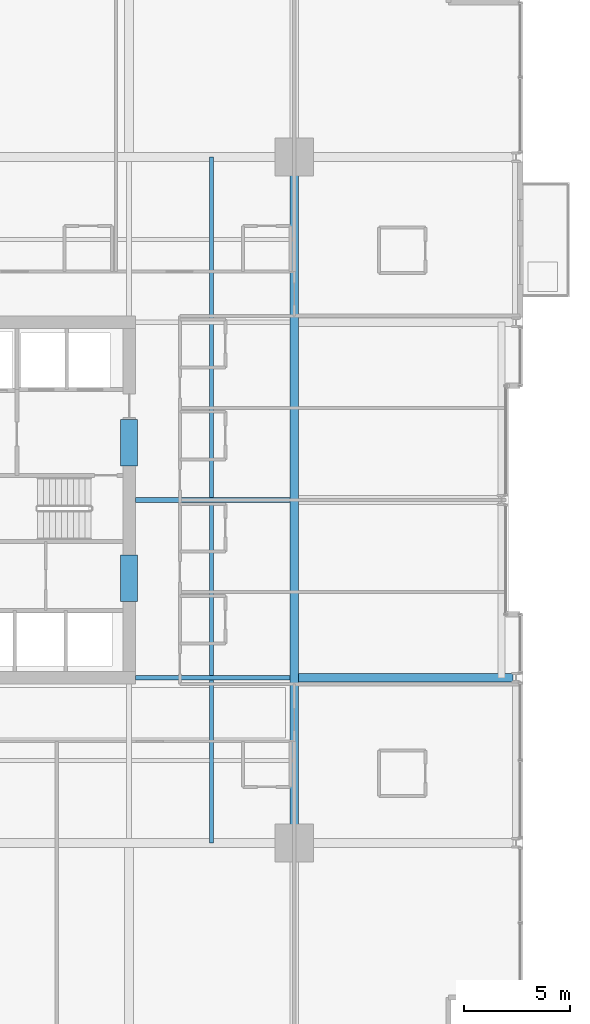
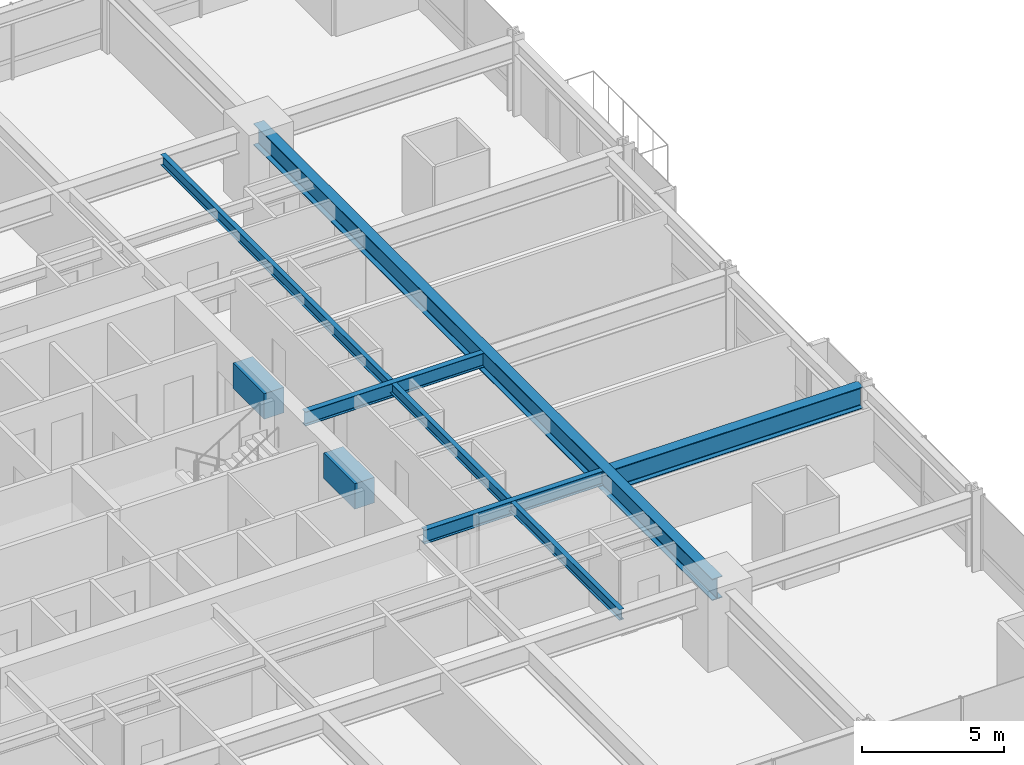
# One storey, part 15 of 37: 7 beams.
"""IFC4 building model written with IfcOpenShell, lengths in metres."""

from ifc_helpers import new_model, si_unit, direction, frame, origin, origin_2d, place, context, subcontext, project, spatial, rectangle, i_section, extrude, material, material_profile, profile_set, type_object, element, save


model = new_model("IFC4")

# Units and contexts
model_context = context("Model", 3, precision=1e-05, world=origin(), true_north=direction((0.0, 1.0)))
body_context = subcontext(model_context, "Body", "Model", "MODEL_VIEW")
ifc_project = project(units=[si_unit("LENGTHUNIT", "METRE"), si_unit("AREAUNIT", "SQUARE_METRE"), si_unit("VOLUMEUNIT", "CUBIC_METRE"), si_unit("PLANEANGLEUNIT", "RADIAN"), si_unit("MASSUNIT", "GRAM", prefix="KILO")], contexts=[model_context])

# Site, building, storey
site_placement = place(None, origin())
site = spatial("IfcSite", under=ifc_project, at=site_placement, CompositionType="ELEMENT")
building_placement = place(site_placement, origin())
building = spatial("IfcBuilding", under=site, at=building_placement, Name="Drelvath Grand Hotel", CompositionType="ELEMENT")
storey_placement = place(building_placement, frame((0.0, 0.0, 43.699951171875)))
storey = spatial("IfcBuildingStorey", under=building, at=storey_placement, Name="L09", CompositionType="ELEMENT", Elevation=43.699951171875)

# Beams
ifc_material_1 = material(Name="Steel ASTM A992 Gr 50", Category="steel")
ifc_material_profile_1 = material_profile(ifc_material_1, i_section(OverallWidth=0.19140625, OverallDepth=0.4599609375, WebThickness=0.010009765625, FlangeThickness=0.01611328125, FilletRadius=0.01611328125, at=origin_2d()), Name="W18X55")
ifc_profile_set_1 = profile_set([ifc_material_profile_1], Name="Steel ASTM A992 Gr 50")
beam_type_1 = type_object("IfcBeamType", Name="Composite Floor Joist W18X55", PredefinedType="JOIST", material=ifc_profile_set_1)
beam_1_placement = place(storey_placement, frame((12.300048828125, 10.800048828125, 3.010009765625), z_axis=(0.0, 1.0, 0.0), x_axis=(-1.0, 0.0, 0.0)))
element("IfcBeam", 1, at=beam_1_placement, inside=storey, type_object=beam_type_1, Name="L09 Wing Floor Joist J4", PredefinedType="JOIST", context=body_context, shape_type="SweptSolid", body=[
    extrude(i_section(OverallWidth=0.19140625, OverallDepth=0.4599609375, WebThickness=0.010009765625, FlangeThickness=0.01611328125, FilletRadius=0.01611328125, at=origin_2d()), origin(), (0.0, 0.0, 1.0), 32.39990234375),
])
ifc_material_2 = material(Name="Concrete f'c 70 MPa", Category="concrete")
ifc_material_profile_2 = material_profile(ifc_material_2, rectangle(XDim=0.800048828125, YDim=1.10009765625, at=origin_2d()), Name="CB800X1100")
ifc_profile_set_2 = profile_set([ifc_material_profile_2], Name="Concrete f'c 70 MPa")
beam_type_2 = type_object("IfcBeamType", Name="Core Coupling Lintel CB800X1100", PredefinedType="LINTEL", material=ifc_profile_set_2)
for number, where, z_axis, x_axis, name in (
    (2, (8.39990234375, 22.199951171875, 2.68994140625), (0.0, 1.0, 0.0), (-1.0, 0.0, 0.0), "L09 Core Coupling Lintel ES"),
    (3, (8.39990234375, 28.60009765625, 2.68994140625), (0.0, 1.0, 0.0), (-1.0, 0.0, 0.0), "L09 Core Coupling Lintel EN"),
):
    element("IfcBeam", number, at=place(storey_placement, frame(where, z_axis=z_axis, x_axis=x_axis)), inside=storey, type_object=beam_type_2, Name=name, PredefinedType="LINTEL", context=body_context, shape_type="SweptSolid", body=[
        extrude(rectangle(XDim=0.800048828125, YDim=1.10009765625, at=origin_2d()), origin(), (0.0, 0.0, 1.0), 2.199951171875),
    ])
ifc_material_profile_3 = material_profile(ifc_material_1, i_section(OverallWidth=0.228271484375, OverallDepth=0.607666015625, WebThickness=0.01123046875, FlangeThickness=0.017333984375, FilletRadius=0.02001953125, at=origin_2d()), Name="W24X76")
ifc_profile_set_3 = profile_set([ifc_material_profile_3], Name="Steel ASTM A992 Gr 50")
beam_type_3 = type_object("IfcBeamType", Name="Primary Floor Girder W24X76", PredefinedType="BEAM", material=ifc_profile_set_3)
for number, where, z_axis, x_axis, name in (
    (4, (8.699951171875, 18.60009765625, 2.936279296875), (1.0, 0.0, 0.0), (0.0, 1.0, 0.0), "L09 East Core Tie D"),
    (5, (8.699951171875, 27.0, 2.936279296875), (1.0, 0.0, 0.0), (0.0, 1.0, 0.0), "L09 East Core Tie E"),
):
    element("IfcBeam", number, at=place(storey_placement, frame(where, z_axis=z_axis, x_axis=x_axis)), inside=storey, type_object=beam_type_3, Name=name, PredefinedType="BEAM", context=body_context, shape_type="SweptSolid", body=[
        extrude(i_section(OverallWidth=0.228271484375, OverallDepth=0.607666015625, WebThickness=0.01123046875, FlangeThickness=0.017333984375, FilletRadius=0.02001953125, at=origin_2d()), origin(), (0.0, 0.0, 1.0), 7.290771484375),
    ])
ifc_material_profile_4 = material_profile(ifc_material_1, i_section(OverallWidth=0.418212890625, OverallDepth=0.926513671875, WebThickness=0.019287109375, FlangeThickness=0.031982421875, FilletRadius=0.028076171875, at=origin_2d()), Name="W36X231")
ifc_profile_set_4 = profile_set([ifc_material_profile_4], Name="Steel ASTM A992 Gr 50")
beam_type_4 = type_object("IfcBeamType", Name="Primary Floor Girder W36X231", PredefinedType="BEAM", material=ifc_profile_set_4)
beam_2_placement = place(storey_placement, frame((16.199951171875, 10.800048828125, 2.77685546875), z_axis=(0.0, 1.0, 0.0), x_axis=(-1.0, 0.0, 0.0)))
element("IfcBeam", 6, at=beam_2_placement, inside=storey, type_object=beam_type_4, Name="L09 Mega Ring Girder East", PredefinedType="BEAM", context=body_context, shape_type="SweptSolid", body=[
    extrude(i_section(OverallWidth=0.418212890625, OverallDepth=0.926513671875, WebThickness=0.019287109375, FlangeThickness=0.031982421875, FilletRadius=0.028076171875, at=origin_2d()), origin(), (0.0, 0.0, 1.0), 32.39990234375),
])
beam_3_placement = place(storey_placement, frame((16.4091796875, 18.60009765625, 2.77685546875), z_axis=(1.0, 0.0, 0.0), x_axis=(0.0, 1.0, 0.0)))
element("IfcBeam", 7, at=beam_3_placement, inside=storey, type_object=beam_type_4, Name="L09 East Wing Girder D", PredefinedType="BEAM", context=body_context, shape_type="SweptSolid", body=[
    extrude(i_section(OverallWidth=0.418212890625, OverallDepth=0.926513671875, WebThickness=0.019287109375, FlangeThickness=0.031982421875, FilletRadius=0.028076171875, at=origin_2d()), origin(), (0.0, 0.0, 1.0), 10.130859375),
])

save(model, "model.ifc")
